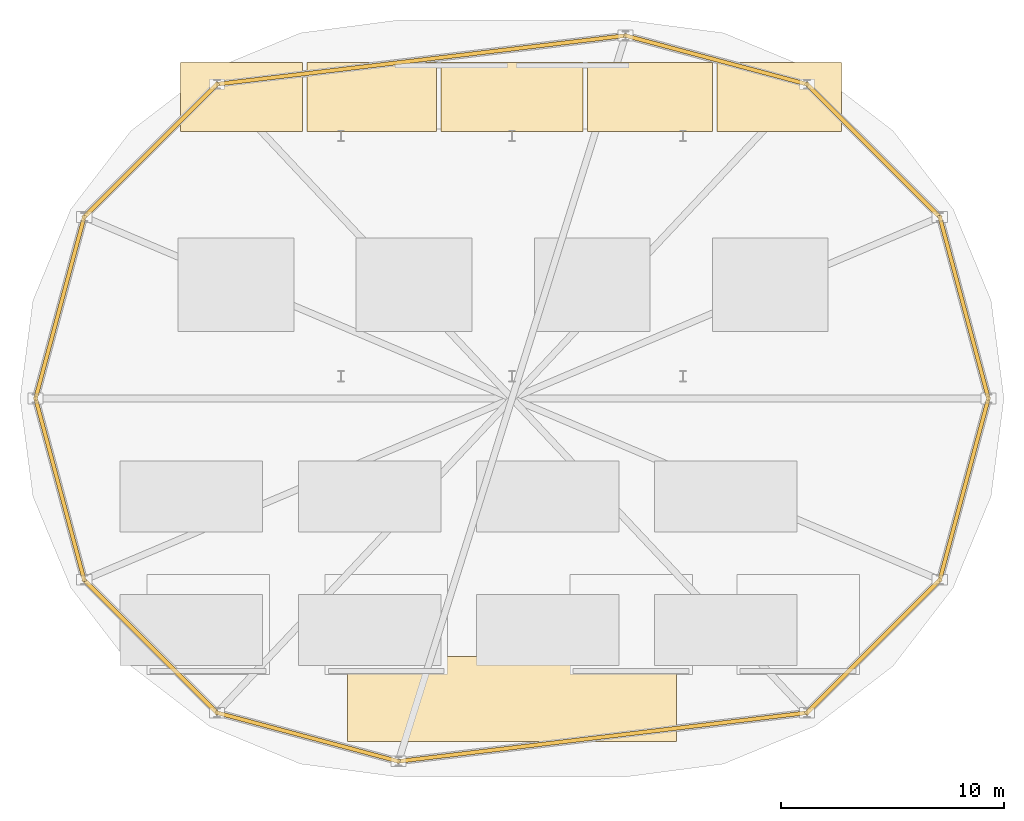
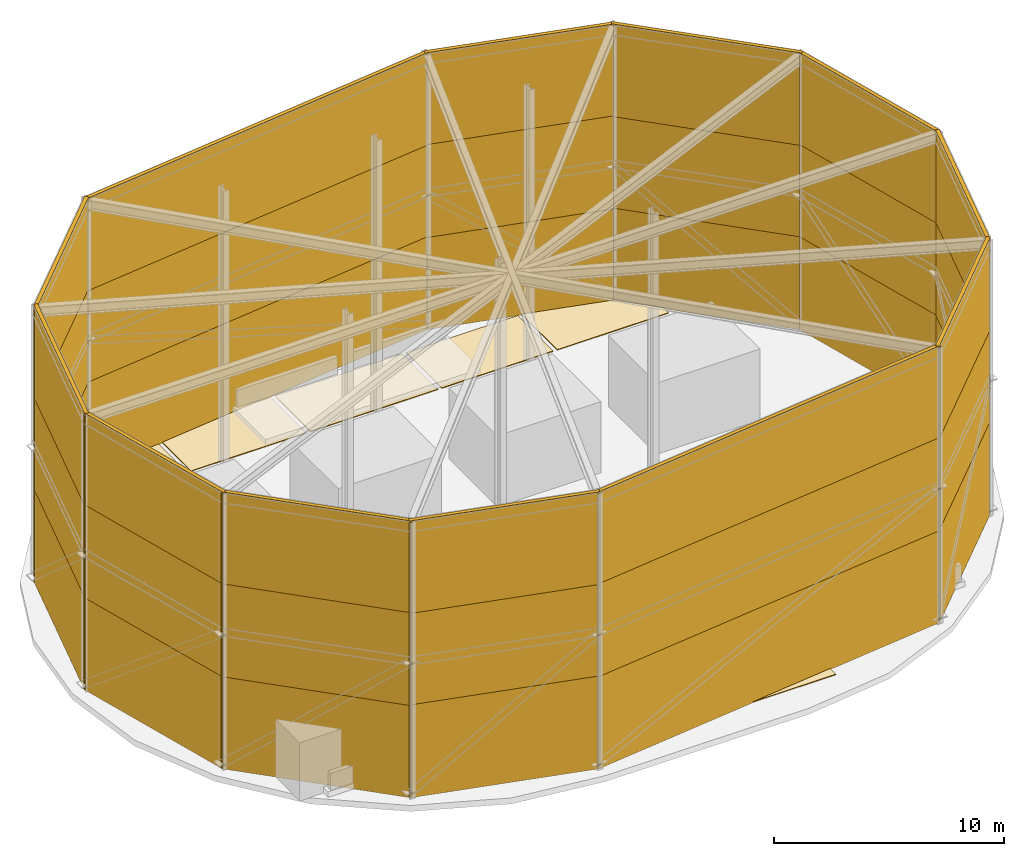
# One storey, part 5 of 5: 36 shading devices, 6 coverings.
"""IFC4 building model written with IfcOpenShell, lengths in metres."""

from ifc_helpers import new_model, si_unit, direction, frame, origin, origin_2d, place, context, subcontext, project, spatial, polyline, rectangle, outline, extrude, material, layer, layer_set, type_object, element, save


model = new_model("IFC4")

# Units and contexts
model_context = context("Model", 3, precision=1e-05, world=origin(), true_north=direction((0.0, 1.0)))
body_context = subcontext(model_context, "Body", "Model", "MODEL_VIEW")
ifc_project = project(units=[si_unit("LENGTHUNIT", "METRE"), si_unit("AREAUNIT", "SQUARE_METRE"), si_unit("VOLUMEUNIT", "CUBIC_METRE"), si_unit("PLANEANGLEUNIT", "RADIAN"), si_unit("MASSUNIT", "GRAM", prefix="KILO")], contexts=[model_context])

# Site, building, storey
site_placement = place(None, origin())
site = spatial("IfcSite", under=ifc_project, at=site_placement, CompositionType="ELEMENT")
building_placement = place(site_placement, origin())
building = spatial("IfcBuilding", under=site, at=building_placement, Name="Yelkora Congress Tower", CompositionType="ELEMENT")
storey_placement = place(building_placement, frame((0.0, 0.0, 310.0)))
storey = spatial("IfcBuildingStorey", under=building, at=storey_placement, Name="Roof", CompositionType="ELEMENT", Elevation=310.0)

# Coverings
ifc_material_1 = material(Name="Two-ply SBS elastomeric roofing membrane on PIR insulation", Category="bitumen")
ifc_layer_1 = layer(ifc_material_1, 0.0400390625)
ifc_layer_set_1 = layer_set([ifc_layer_1], Name="Two-ply SBS elastomeric roofing membrane on PIR insulation")
covering_type = type_object("IfcCoveringType", Name="COV-ROOF-MEMBRANE-40", PredefinedType="ROOFING", material=ifc_layer_set_1)
covering_1_placement = place(storey_placement, origin())
element("IfcCovering", 1, at=covering_1_placement, inside=storey, type_object=covering_type, Name="Crown Deck Waterproof Roofing Membrane 1", PredefinedType="ROOFING", context=body_context, shape_type="SweptSolid", body=[
    extrude(outline(polyline([(23.5, 46.39990234375), (29.0, 46.39990234375), (29.0, 49.5), (23.5, 49.5), (23.5, 46.39990234375)])), origin(), (0.0, 0.0, 1.0), 0.0400390625),
])
covering_2_placement = place(storey_placement, origin())
element("IfcCovering", 2, at=covering_2_placement, inside=storey, type_object=covering_type, Name="Crown Deck Waterproof Roofing Membrane 2", PredefinedType="ROOFING", context=body_context, shape_type="SweptSolid", body=[
    extrude(outline(polyline([(29.199951171875, 46.39990234375), (35.0, 46.39990234375), (35.0, 49.5), (29.199951171875, 49.5), (29.199951171875, 46.39990234375)])), origin(), (0.0, 0.0, 1.0), 0.0400390625),
])
covering_3_placement = place(storey_placement, origin())
element("IfcCovering", 3, at=covering_3_placement, inside=storey, type_object=covering_type, Name="Crown Deck Waterproof Roofing Membrane 3", PredefinedType="ROOFING", context=body_context, shape_type="SweptSolid", body=[
    extrude(outline(polyline([(35.199951171875, 46.39990234375), (41.60009765625, 46.39990234375), (41.60009765625, 49.5), (35.199951171875, 49.5), (35.199951171875, 46.39990234375)])), origin(), (0.0, 0.0, 1.0), 0.0400390625),
])
covering_4_placement = place(storey_placement, origin())
element("IfcCovering", 4, at=covering_4_placement, inside=storey, type_object=covering_type, Name="Crown Deck Waterproof Roofing Membrane 4", PredefinedType="ROOFING", context=body_context, shape_type="SweptSolid", body=[
    extrude(outline(polyline([(41.800048828125, 46.39990234375), (47.39990234375, 46.39990234375), (47.39990234375, 49.5), (41.800048828125, 49.5), (41.800048828125, 46.39990234375)])), origin(), (0.0, 0.0, 1.0), 0.0400390625),
])
covering_5_placement = place(storey_placement, origin())
element("IfcCovering", 5, at=covering_5_placement, inside=storey, type_object=covering_type, Name="Crown Deck Waterproof Roofing Membrane 5", PredefinedType="ROOFING", context=body_context, shape_type="SweptSolid", body=[
    extrude(outline(polyline([(47.60009765625, 46.39990234375), (53.199951171875, 46.39990234375), (53.199951171875, 49.5), (47.60009765625, 49.5), (47.60009765625, 46.39990234375)])), origin(), (0.0, 0.0, 1.0), 0.0400390625),
])
covering_6_placement = place(storey_placement, origin())
element("IfcCovering", 6, at=covering_6_placement, inside=storey, type_object=covering_type, Name="Crown Deck Waterproof Roofing Membrane 6", PredefinedType="ROOFING", context=body_context, shape_type="SweptSolid", body=[
    extrude(outline(polyline([(31.0, 19.0), (45.800048828125, 19.0), (45.800048828125, 22.800048828125), (31.0, 22.800048828125), (31.0, 19.0)])), origin(), (0.0, 0.0, 1.0), 0.0400390625),
])

# Shading devices
ifc_material_2 = material(Name="Acoustic storm-proof aluminium louvre screen", Category="aluminium")
ifc_layer_2 = layer(ifc_material_2, 4.89990234375)
ifc_layer_set_2 = layer_set([ifc_layer_2], Name="Acoustic storm-proof aluminium louvre screen")
shading_device_type = type_object("IfcShadingDeviceType", Name="SHD-LOUVRE-CROWN", PredefinedType="JALOUSIE", material=ifc_layer_set_2)
for number, where, z_axis, x_axis, name in (
    (7, (58.7080078125, 38.47509765625, -0.02001953125), (0.0, 0.0, 1.0), (-0.258819045103, 0.965925826289, 0.0), "Crown Stadium Ring Acoustic Louvre Screen 1-T1"),
    (8, (58.7080078125, 38.47509765625, 4.880126953125), (0.0, 0.0, 1.0), (-0.258819045103, 0.965925826289, 0.0), "Crown Stadium Ring Acoustic Louvre Screen 1-T2"),
):
    element("IfcShadingDevice", number, at=place(storey_placement, frame(where, z_axis=z_axis, x_axis=x_axis)), inside=storey, type_object=shading_device_type, Name=name, PredefinedType="JALOUSIE", context=body_context, shape_type="SweptSolid", body=[
        extrude(rectangle(XDim=8.58740234375, YDim=0.179931640625, at=origin_2d()), origin(), (0.0, 0.0, 1.0), 4.93994140625),
    ])
shading_device_1_placement = place(storey_placement, frame((58.7080078125, 38.47509765625, 9.780029296875), z_axis=(0.0, 0.0, 1.0), x_axis=(-0.258819045103, 0.965925826289, 0.0)))
element("IfcShadingDevice", 9, at=shading_device_1_placement, inside=storey, type_object=shading_device_type, Name="Crown Stadium Ring Acoustic Louvre Screen 1-T3", PredefinedType="JALOUSIE", context=body_context, shape_type="SweptSolid", body=[
    extrude(rectangle(XDim=8.58740234375, YDim=0.179931640625, at=origin_2d()), origin(), (0.0, 0.0, 1.0), 4.919921875),
])
for number, where, z_axis, x_axis, name in (
    (10, (54.633056640625, 45.533203125, -0.02001953125), (0.0, 0.0, 1.0), (-0.707106781187, 0.707106781187, 0.0), "Crown Stadium Ring Acoustic Louvre Screen 2-T1"),
    (11, (54.633056640625, 45.533203125, 4.880126953125), (0.0, 0.0, 1.0), (-0.707106781187, 0.707106781187, 0.0), "Crown Stadium Ring Acoustic Louvre Screen 2-T2"),
):
    element("IfcShadingDevice", number, at=place(storey_placement, frame(where, z_axis=z_axis, x_axis=x_axis)), inside=storey, type_object=shading_device_type, Name=name, PredefinedType="JALOUSIE", context=body_context, shape_type="SweptSolid", body=[
        extrude(rectangle(XDim=8.58740234375, YDim=0.179931640625, at=origin_2d()), origin(), (0.0, 0.0, 1.0), 4.93994140625),
    ])
shading_device_2_placement = place(storey_placement, frame((54.633056640625, 45.533203125, 9.780029296875), z_axis=(0.0, 0.0, 1.0), x_axis=(-0.707106781187, 0.707106781187, 0.0)))
element("IfcShadingDevice", 12, at=shading_device_2_placement, inside=storey, type_object=shading_device_type, Name="Crown Stadium Ring Acoustic Louvre Screen 2-T3", PredefinedType="JALOUSIE", context=body_context, shape_type="SweptSolid", body=[
    extrude(rectangle(XDim=8.58740234375, YDim=0.179931640625, at=origin_2d()), origin(), (0.0, 0.0, 1.0), 4.919921875),
])
for number, where, z_axis, x_axis, name in (
    (13, (47.574951171875, 49.608154296875, -0.02001953125), (0.0, 0.0, 1.0), (-0.965925826289, 0.258819045103, 0.0), "Crown Stadium Ring Acoustic Louvre Screen 3-T1"),
    (14, (47.574951171875, 49.608154296875, 4.880126953125), (0.0, 0.0, 1.0), (-0.965925826289, 0.258819045103, 0.0), "Crown Stadium Ring Acoustic Louvre Screen 3-T2"),
):
    element("IfcShadingDevice", number, at=place(storey_placement, frame(where, z_axis=z_axis, x_axis=x_axis)), inside=storey, type_object=shading_device_type, Name=name, PredefinedType="JALOUSIE", context=body_context, shape_type="SweptSolid", body=[
        extrude(rectangle(XDim=8.58740234375, YDim=0.179931640625, at=origin_2d()), origin(), (0.0, 0.0, 1.0), 4.93994140625),
    ])
shading_device_3_placement = place(storey_placement, frame((47.574951171875, 49.608154296875, 9.780029296875), z_axis=(0.0, 0.0, 1.0), x_axis=(-0.965925826289, 0.258819045103, 0.0)))
element("IfcShadingDevice", 15, at=shading_device_3_placement, inside=storey, type_object=shading_device_type, Name="Crown Stadium Ring Acoustic Louvre Screen 3-T3", PredefinedType="JALOUSIE", context=body_context, shape_type="SweptSolid", body=[
    extrude(rectangle(XDim=8.58740234375, YDim=0.179931640625, at=origin_2d()), origin(), (0.0, 0.0, 1.0), 4.919921875),
])
for number, where, z_axis, x_axis, name in (
    (16, (34.324951171875, 49.608154296875, -0.02001953125), (0.0, 0.0, 1.0), (-0.992992347555, -0.118178668534, 0.0), "Crown Stadium Ring Acoustic Louvre Screen 4-T1"),
    (17, (34.324951171875, 49.608154296875, 4.880126953125), (0.0, 0.0, 1.0), (-0.992992347555, -0.118178668534, 0.0), "Crown Stadium Ring Acoustic Louvre Screen 4-T2"),
):
    element("IfcShadingDevice", number, at=place(storey_placement, frame(where, z_axis=z_axis, x_axis=x_axis)), inside=storey, type_object=shading_device_type, Name=name, PredefinedType="JALOUSIE", context=body_context, shape_type="SweptSolid", body=[
        extrude(rectangle(XDim=18.62939453125, YDim=0.179931640625, at=origin_2d()), origin(), (0.0, 0.0, 1.0), 4.93994140625),
    ])
shading_device_4_placement = place(storey_placement, frame((34.324951171875, 49.608154296875, 9.780029296875), z_axis=(0.0, 0.0, 1.0), x_axis=(-0.992992347555, -0.118178668534, 0.0)))
element("IfcShadingDevice", 18, at=shading_device_4_placement, inside=storey, type_object=shading_device_type, Name="Crown Stadium Ring Acoustic Louvre Screen 4-T3", PredefinedType="JALOUSIE", context=body_context, shape_type="SweptSolid", body=[
    extrude(rectangle(XDim=18.62939453125, YDim=0.179931640625, at=origin_2d()), origin(), (0.0, 0.0, 1.0), 4.919921875),
])
for number, where, z_axis, x_axis, name in (
    (19, (22.1669921875, 45.533203125, -0.02001953125), (0.0, 0.0, 1.0), (-0.707106781187, -0.707106781187, 0.0), "Crown Stadium Ring Acoustic Louvre Screen 5-T1"),
    (20, (22.1669921875, 45.533203125, 4.880126953125), (0.0, 0.0, 1.0), (-0.707106781187, -0.707106781187, 0.0), "Crown Stadium Ring Acoustic Louvre Screen 5-T2"),
):
    element("IfcShadingDevice", number, at=place(storey_placement, frame(where, z_axis=z_axis, x_axis=x_axis)), inside=storey, type_object=shading_device_type, Name=name, PredefinedType="JALOUSIE", context=body_context, shape_type="SweptSolid", body=[
        extrude(rectangle(XDim=8.58740234375, YDim=0.179931640625, at=origin_2d()), origin(), (0.0, 0.0, 1.0), 4.93994140625),
    ])
shading_device_5_placement = place(storey_placement, frame((22.1669921875, 45.533203125, 9.780029296875), z_axis=(0.0, 0.0, 1.0), x_axis=(-0.707106781187, -0.707106781187, 0.0)))
element("IfcShadingDevice", 21, at=shading_device_5_placement, inside=storey, type_object=shading_device_type, Name="Crown Stadium Ring Acoustic Louvre Screen 5-T3", PredefinedType="JALOUSIE", context=body_context, shape_type="SweptSolid", body=[
    extrude(rectangle(XDim=8.58740234375, YDim=0.179931640625, at=origin_2d()), origin(), (0.0, 0.0, 1.0), 4.919921875),
])
for number, where, z_axis, x_axis, name in (
    (22, (18.091796875, 38.47509765625, -0.02001953125), (0.0, 0.0, 1.0), (-0.258819045103, -0.965925826289, 0.0), "Crown Stadium Ring Acoustic Louvre Screen 6-T1"),
    (23, (18.091796875, 38.47509765625, 4.880126953125), (0.0, 0.0, 1.0), (-0.258819045103, -0.965925826289, 0.0), "Crown Stadium Ring Acoustic Louvre Screen 6-T2"),
):
    element("IfcShadingDevice", number, at=place(storey_placement, frame(where, z_axis=z_axis, x_axis=x_axis)), inside=storey, type_object=shading_device_type, Name=name, PredefinedType="JALOUSIE", context=body_context, shape_type="SweptSolid", body=[
        extrude(rectangle(XDim=8.58740234375, YDim=0.179931640625, at=origin_2d()), origin(), (0.0, 0.0, 1.0), 4.93994140625),
    ])
shading_device_6_placement = place(storey_placement, frame((18.091796875, 38.47509765625, 9.780029296875), z_axis=(0.0, 0.0, 1.0), x_axis=(-0.258819045103, -0.965925826289, 0.0)))
element("IfcShadingDevice", 24, at=shading_device_6_placement, inside=storey, type_object=shading_device_type, Name="Crown Stadium Ring Acoustic Louvre Screen 6-T3", PredefinedType="JALOUSIE", context=body_context, shape_type="SweptSolid", body=[
    extrude(rectangle(XDim=8.58740234375, YDim=0.179931640625, at=origin_2d()), origin(), (0.0, 0.0, 1.0), 4.919921875),
])
for number, where, z_axis, x_axis, name in (
    (25, (18.091796875, 30.324951171875, -0.02001953125), (0.0, 0.0, 1.0), (0.258819045103, -0.965925826289, 0.0), "Crown Stadium Ring Acoustic Louvre Screen 7-T1"),
    (26, (18.091796875, 30.324951171875, 4.880126953125), (0.0, 0.0, 1.0), (0.258819045103, -0.965925826289, 0.0), "Crown Stadium Ring Acoustic Louvre Screen 7-T2"),
):
    element("IfcShadingDevice", number, at=place(storey_placement, frame(where, z_axis=z_axis, x_axis=x_axis)), inside=storey, type_object=shading_device_type, Name=name, PredefinedType="JALOUSIE", context=body_context, shape_type="SweptSolid", body=[
        extrude(rectangle(XDim=8.58740234375, YDim=0.179931640625, at=origin_2d()), origin(), (0.0, 0.0, 1.0), 4.93994140625),
    ])
shading_device_7_placement = place(storey_placement, frame((18.091796875, 30.324951171875, 9.780029296875), z_axis=(0.0, 0.0, 1.0), x_axis=(0.258819045103, -0.965925826289, 0.0)))
element("IfcShadingDevice", 27, at=shading_device_7_placement, inside=storey, type_object=shading_device_type, Name="Crown Stadium Ring Acoustic Louvre Screen 7-T3", PredefinedType="JALOUSIE", context=body_context, shape_type="SweptSolid", body=[
    extrude(rectangle(XDim=8.58740234375, YDim=0.179931640625, at=origin_2d()), origin(), (0.0, 0.0, 1.0), 4.919921875),
])
for number, where, z_axis, x_axis, name in (
    (28, (22.1669921875, 23.266845703125, -0.02001953125), (0.0, 0.0, 1.0), (0.707106781187, -0.707106781187, 0.0), "Crown Stadium Ring Acoustic Louvre Screen 8-T1"),
    (29, (22.1669921875, 23.266845703125, 4.880126953125), (0.0, 0.0, 1.0), (0.707106781187, -0.707106781187, 0.0), "Crown Stadium Ring Acoustic Louvre Screen 8-T2"),
):
    element("IfcShadingDevice", number, at=place(storey_placement, frame(where, z_axis=z_axis, x_axis=x_axis)), inside=storey, type_object=shading_device_type, Name=name, PredefinedType="JALOUSIE", context=body_context, shape_type="SweptSolid", body=[
        extrude(rectangle(XDim=8.58740234375, YDim=0.179931640625, at=origin_2d()), origin(), (0.0, 0.0, 1.0), 4.93994140625),
    ])
shading_device_8_placement = place(storey_placement, frame((22.1669921875, 23.266845703125, 9.780029296875), z_axis=(0.0, 0.0, 1.0), x_axis=(0.707106781187, -0.707106781187, 0.0)))
element("IfcShadingDevice", 30, at=shading_device_8_placement, inside=storey, type_object=shading_device_type, Name="Crown Stadium Ring Acoustic Louvre Screen 8-T3", PredefinedType="JALOUSIE", context=body_context, shape_type="SweptSolid", body=[
    extrude(rectangle(XDim=8.58740234375, YDim=0.179931640625, at=origin_2d()), origin(), (0.0, 0.0, 1.0), 4.919921875),
])
for number, where, z_axis, x_axis, name in (
    (31, (29.22509765625, 19.19189453125, -0.02001953125), (0.0, 0.0, 1.0), (0.965925826289, -0.258819045103, 0.0), "Crown Stadium Ring Acoustic Louvre Screen 9-T1"),
    (32, (29.22509765625, 19.19189453125, 4.880126953125), (0.0, 0.0, 1.0), (0.965925826289, -0.258819045103, 0.0), "Crown Stadium Ring Acoustic Louvre Screen 9-T2"),
):
    element("IfcShadingDevice", number, at=place(storey_placement, frame(where, z_axis=z_axis, x_axis=x_axis)), inside=storey, type_object=shading_device_type, Name=name, PredefinedType="JALOUSIE", context=body_context, shape_type="SweptSolid", body=[
        extrude(rectangle(XDim=8.58740234375, YDim=0.179931640625, at=origin_2d()), origin(), (0.0, 0.0, 1.0), 4.93994140625),
    ])
shading_device_9_placement = place(storey_placement, frame((29.22509765625, 19.19189453125, 9.780029296875), z_axis=(0.0, 0.0, 1.0), x_axis=(0.965925826289, -0.258819045103, 0.0)))
element("IfcShadingDevice", 33, at=shading_device_9_placement, inside=storey, type_object=shading_device_type, Name="Crown Stadium Ring Acoustic Louvre Screen 9-T3", PredefinedType="JALOUSIE", context=body_context, shape_type="SweptSolid", body=[
    extrude(rectangle(XDim=8.58740234375, YDim=0.179931640625, at=origin_2d()), origin(), (0.0, 0.0, 1.0), 4.919921875),
])
for number, where, z_axis, x_axis, name in (
    (34, (42.47509765625, 19.19189453125, -0.02001953125), (0.0, 0.0, 1.0), (0.992992347555, 0.118178668534, 0.0), "Crown Stadium Ring Acoustic Louvre Screen 10-T1"),
    (35, (42.47509765625, 19.19189453125, 4.880126953125), (0.0, 0.0, 1.0), (0.992992347555, 0.118178668534, 0.0), "Crown Stadium Ring Acoustic Louvre Screen 10-T2"),
):
    element("IfcShadingDevice", number, at=place(storey_placement, frame(where, z_axis=z_axis, x_axis=x_axis)), inside=storey, type_object=shading_device_type, Name=name, PredefinedType="JALOUSIE", context=body_context, shape_type="SweptSolid", body=[
        extrude(rectangle(XDim=18.62939453125, YDim=0.179931640625, at=origin_2d()), origin(), (0.0, 0.0, 1.0), 4.93994140625),
    ])
shading_device_10_placement = place(storey_placement, frame((42.47509765625, 19.19189453125, 9.780029296875), z_axis=(0.0, 0.0, 1.0), x_axis=(0.992992347555, 0.118178668534, 0.0)))
element("IfcShadingDevice", 36, at=shading_device_10_placement, inside=storey, type_object=shading_device_type, Name="Crown Stadium Ring Acoustic Louvre Screen 10-T3", PredefinedType="JALOUSIE", context=body_context, shape_type="SweptSolid", body=[
    extrude(rectangle(XDim=18.62939453125, YDim=0.179931640625, at=origin_2d()), origin(), (0.0, 0.0, 1.0), 4.919921875),
])
for number, where, z_axis, x_axis, name in (
    (37, (54.633056640625, 23.266845703125, -0.02001953125), (0.0, 0.0, 1.0), (0.707106781187, 0.707106781187, 0.0), "Crown Stadium Ring Acoustic Louvre Screen 11-T1"),
    (38, (54.633056640625, 23.266845703125, 4.880126953125), (0.0, 0.0, 1.0), (0.707106781187, 0.707106781187, 0.0), "Crown Stadium Ring Acoustic Louvre Screen 11-T2"),
):
    element("IfcShadingDevice", number, at=place(storey_placement, frame(where, z_axis=z_axis, x_axis=x_axis)), inside=storey, type_object=shading_device_type, Name=name, PredefinedType="JALOUSIE", context=body_context, shape_type="SweptSolid", body=[
        extrude(rectangle(XDim=8.58740234375, YDim=0.179931640625, at=origin_2d()), origin(), (0.0, 0.0, 1.0), 4.93994140625),
    ])
shading_device_11_placement = place(storey_placement, frame((54.633056640625, 23.266845703125, 9.780029296875), z_axis=(0.0, 0.0, 1.0), x_axis=(0.707106781187, 0.707106781187, 0.0)))
element("IfcShadingDevice", 39, at=shading_device_11_placement, inside=storey, type_object=shading_device_type, Name="Crown Stadium Ring Acoustic Louvre Screen 11-T3", PredefinedType="JALOUSIE", context=body_context, shape_type="SweptSolid", body=[
    extrude(rectangle(XDim=8.58740234375, YDim=0.179931640625, at=origin_2d()), origin(), (0.0, 0.0, 1.0), 4.919921875),
])
for number, where, z_axis, x_axis, name in (
    (40, (58.7080078125, 30.324951171875, -0.02001953125), (0.0, 0.0, 1.0), (0.258819045103, 0.965925826289, 0.0), "Crown Stadium Ring Acoustic Louvre Screen 12-T1"),
    (41, (58.7080078125, 30.324951171875, 4.880126953125), (0.0, 0.0, 1.0), (0.258819045103, 0.965925826289, 0.0), "Crown Stadium Ring Acoustic Louvre Screen 12-T2"),
):
    element("IfcShadingDevice", number, at=place(storey_placement, frame(where, z_axis=z_axis, x_axis=x_axis)), inside=storey, type_object=shading_device_type, Name=name, PredefinedType="JALOUSIE", context=body_context, shape_type="SweptSolid", body=[
        extrude(rectangle(XDim=8.58740234375, YDim=0.179931640625, at=origin_2d()), origin(), (0.0, 0.0, 1.0), 4.93994140625),
    ])
shading_device_12_placement = place(storey_placement, frame((58.7080078125, 30.324951171875, 9.780029296875), z_axis=(0.0, 0.0, 1.0), x_axis=(0.258819045103, 0.965925826289, 0.0)))
element("IfcShadingDevice", 42, at=shading_device_12_placement, inside=storey, type_object=shading_device_type, Name="Crown Stadium Ring Acoustic Louvre Screen 12-T3", PredefinedType="JALOUSIE", context=body_context, shape_type="SweptSolid", body=[
    extrude(rectangle(XDim=8.58740234375, YDim=0.179931640625, at=origin_2d()), origin(), (0.0, 0.0, 1.0), 4.919921875),
])

save(model, "model.ifc")
